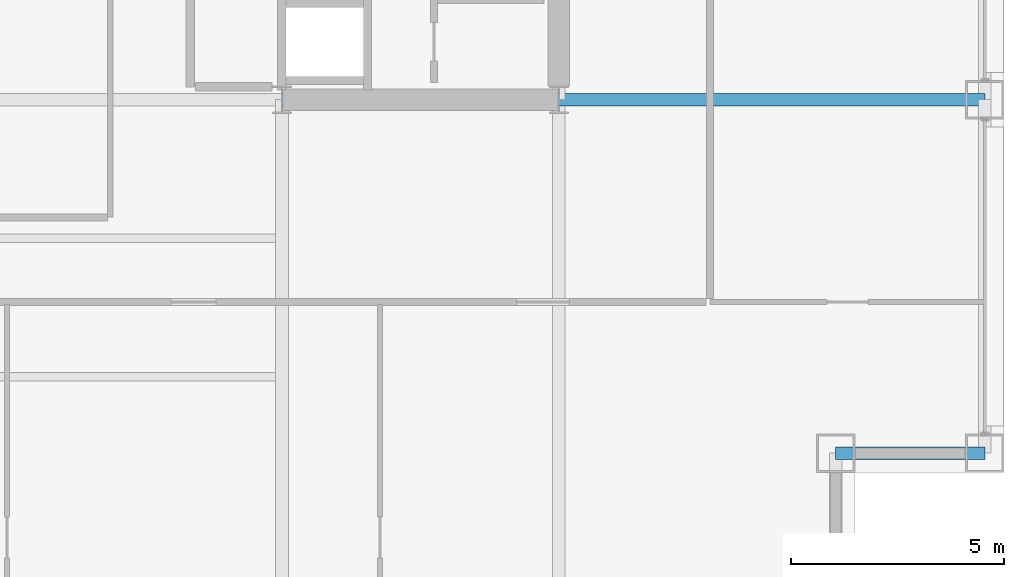
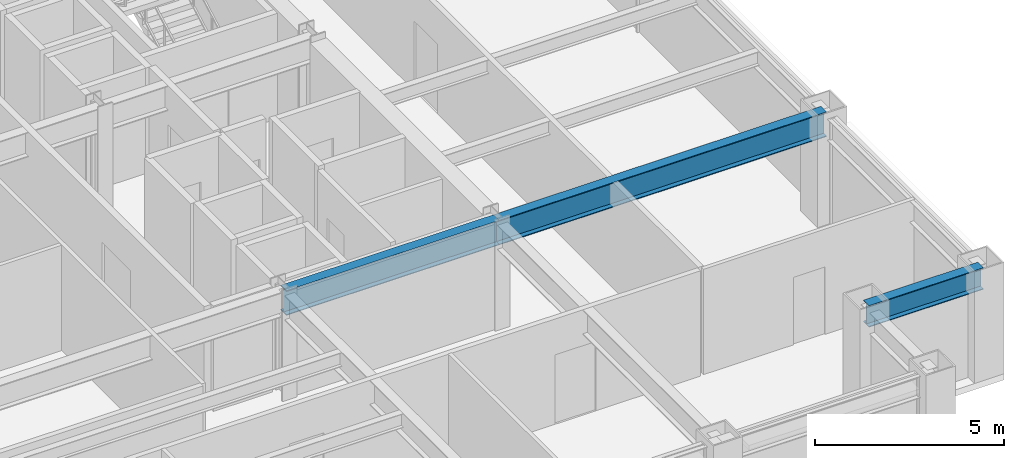
# One storey, part 11 of 30: 3 beams.
"""IFC4 building model written with IfcOpenShell, lengths in metres."""

from ifc_helpers import new_model, si_unit, direction, frame, origin, origin_2d, place, context, subcontext, project, spatial, i_section, extrude, material, material_profile, profile_set, type_object, element, save


model = new_model("IFC4")

# Units and contexts
model_context = context("Model", 3, precision=1e-05, world=origin(), true_north=direction((0.0, 1.0)))
body_context = subcontext(model_context, "Body", "Model", "MODEL_VIEW")
ifc_project = project(units=[si_unit("LENGTHUNIT", "METRE"), si_unit("AREAUNIT", "SQUARE_METRE"), si_unit("VOLUMEUNIT", "CUBIC_METRE"), si_unit("PLANEANGLEUNIT", "RADIAN"), si_unit("MASSUNIT", "GRAM", prefix="KILO")], contexts=[model_context])

# Site, building, storey
site_placement = place(None, origin())
site = spatial("IfcSite", under=ifc_project, at=site_placement, CompositionType="ELEMENT")
building_placement = place(site_placement, origin())
building = spatial("IfcBuilding", under=site, at=building_placement, Name="Brelmoor Portico Tower", CompositionType="ELEMENT")
storey_placement = place(building_placement, frame((0.0, 0.0, 74.39990234375)))
storey = spatial("IfcBuildingStorey", under=building, at=storey_placement, Name="L19", CompositionType="ELEMENT", Elevation=74.39990234375)

# Beams
ifc_material = material(Name="Steel Q355B", Category="steel")
ifc_material_profile_1 = material_profile(ifc_material, i_section(OverallWidth=0.300048828125, OverallDepth=0.800048828125, WebThickness=0.013916015625, FlangeThickness=0.02587890625, at=origin_2d()), Name="HN 800x300x14x26")
ifc_profile_set_1 = profile_set([ifc_material_profile_1], Name="Steel Q355B")
beam_type_1 = type_object("IfcBeamType", Name="BM-PG-800", PredefinedType="BEAM", material=ifc_profile_set_1)
beam_1_placement = place(storey_placement, frame((8.050048828125, -9.75, 3.0), z_axis=(1.0, 0.0, 0.0), x_axis=(0.0, 1.0, 0.0)))
element("IfcBeam", 1, at=beam_1_placement, inside=storey, type_object=beam_type_1, Name="L19 Primary Floor Girder PG-22", PredefinedType="BEAM", context=body_context, shape_type="SweptSolid", body=[
    extrude(i_section(OverallWidth=0.300048828125, OverallDepth=0.800048828125, WebThickness=0.013916015625, FlangeThickness=0.02587890625, at=origin_2d()), origin(), (0.0, 0.0, 1.0), 6.5),
])
beam_2_placement = place(storey_placement, frame((14.550048828125, -9.75, 3.0), z_axis=(1.0, 0.0, 0.0), x_axis=(0.0, 1.0, 0.0)))
element("IfcBeam", 2, at=beam_2_placement, inside=storey, type_object=beam_type_1, Name="L19 Primary Floor Girder PG-23", PredefinedType="BEAM", context=body_context, shape_type="SweptSolid", body=[
    extrude(i_section(OverallWidth=0.300048828125, OverallDepth=0.800048828125, WebThickness=0.013916015625, FlangeThickness=0.02587890625, at=origin_2d()), origin(), (0.0, 0.0, 1.0), 10.0),
])
ifc_material_profile_2 = material_profile(ifc_material, i_section(OverallWidth=0.300048828125, OverallDepth=0.699951171875, WebThickness=0.012939453125, FlangeThickness=0.02392578125, at=origin_2d()), Name="HN 700x300x13x24")
ifc_profile_set_2 = profile_set([ifc_material_profile_2], Name="Steel Q355B")
beam_type_2 = type_object("IfcBeamType", Name="BM-SP-700", PredefinedType="SPANDREL", material=ifc_profile_set_2)
beam_3_placement = place(storey_placement, frame((21.050048828125, -18.050048828125, 3.050048828125), z_axis=(1.0, 0.0, 0.0), x_axis=(0.0, 1.0, 0.0)))
element("IfcBeam", 3, at=beam_3_placement, inside=storey, type_object=beam_type_2, Name="L19 Perimeter Spandrel Beam SP-07", PredefinedType="SPANDREL", context=body_context, shape_type="SweptSolid", body=[
    extrude(i_section(OverallWidth=0.300048828125, OverallDepth=0.699951171875, WebThickness=0.012939453125, FlangeThickness=0.02392578125, at=origin_2d()), origin(), (0.0, 0.0, 1.0), 3.5),
])

save(model, "model.ifc")
